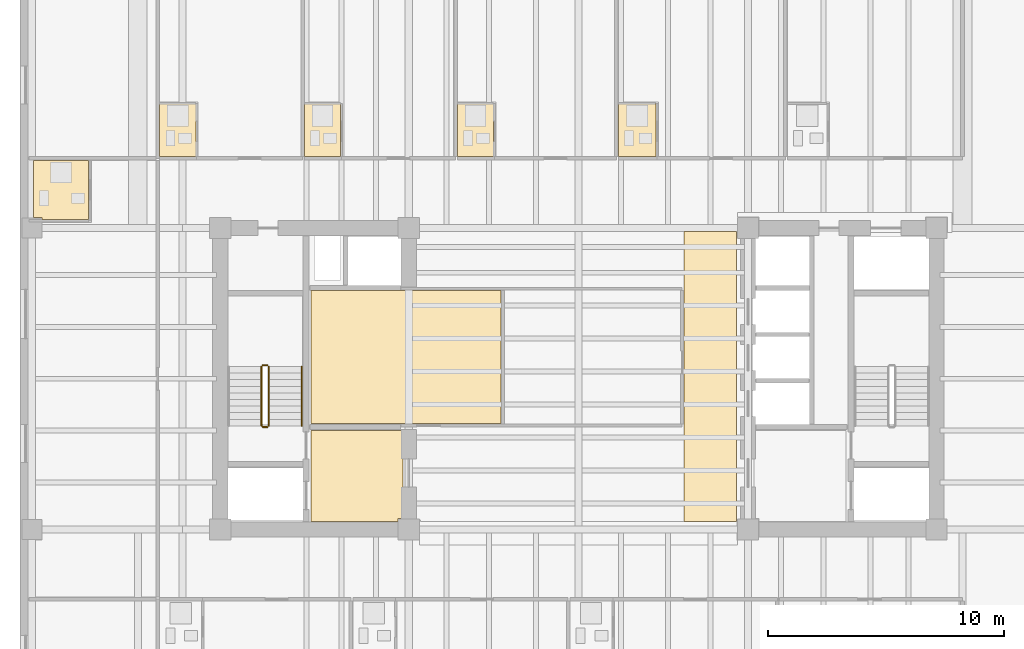
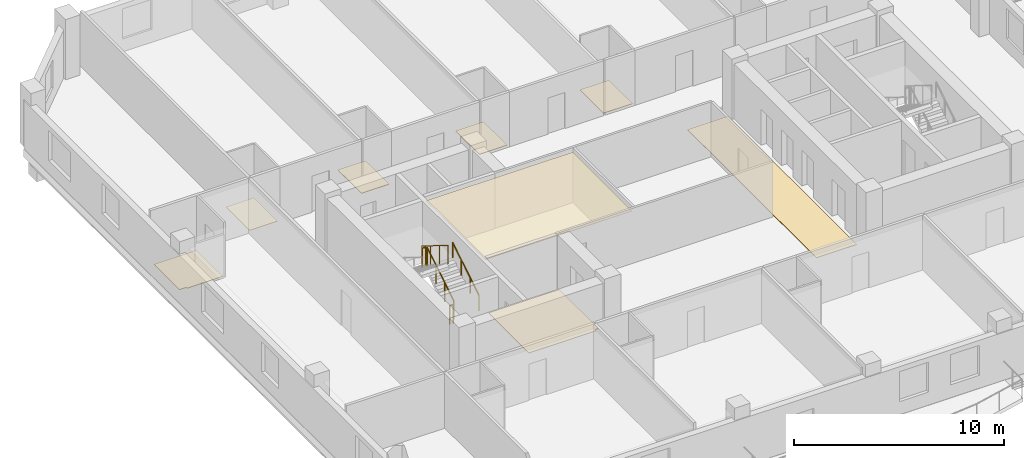
# One storey, part 8 of 11: 8 coverings, 5 railings.
"""IFC4 building model written with IfcOpenShell, lengths in metres."""

from ifc_helpers import new_model, si_unit, direction, frame, origin, origin_2d, place, context, subcontext, project, spatial, polyline, circle, outline, extrude, material, layer, layer_set, type_object, element, save


model = new_model("IFC4")

# Units and contexts
model_context = context("Model", 3, precision=1e-05, world=origin(), true_north=direction((0.0, 1.0)))
body_context = subcontext(model_context, "Body", "Model", "MODEL_VIEW")
ifc_project = project(units=[si_unit("LENGTHUNIT", "METRE"), si_unit("AREAUNIT", "SQUARE_METRE"), si_unit("VOLUMEUNIT", "CUBIC_METRE"), si_unit("PLANEANGLEUNIT", "RADIAN"), si_unit("MASSUNIT", "GRAM", prefix="KILO")], contexts=[model_context])

# Site, building, storey
site_placement = place(None, origin())
site = spatial("IfcSite", under=ifc_project, at=site_placement, CompositionType="ELEMENT")
building_placement = place(site_placement, origin())
building = spatial("IfcBuilding", under=site, at=building_placement, Name="Kranthara Brick Stack", CompositionType="ELEMENT")
storey_placement = place(building_placement, frame((0.0, 0.0, 183.300048828125)))
storey = spatial("IfcBuildingStorey", under=building, at=storey_placement, Name="L47", CompositionType="ELEMENT", Elevation=183.300048828125)

# Coverings
ifc_material_1 = material(Name="Perforated mineral-fibre acoustic ceiling tile", Category="other")
ifc_layer_1 = layer(ifc_material_1, 0.02490234375)
ifc_layer_set_1 = layer_set([ifc_layer_1], Name="Perforated mineral-fibre acoustic ceiling tile")
covering_type_1 = type_object("IfcCoveringType", Name="COV-CEIL-ACOUSTIC", PredefinedType="CEILING", material=ifc_layer_set_1)
covering_1_placement = place(storey_placement, frame((0.0, 0.0, 2.929931640625)))
element("IfcCovering", 1, at=covering_1_placement, inside=storey, type_object=covering_type_1, Name="L47 L47 Hotel Club Reading Lounge Acoustic Ceiling", PredefinedType="CEILING", context=body_context, shape_type="SweptSolid", body=[
    extrude(outline(polyline([(24.719970703125, 25.300048828125), (24.719970703125, 30.93994140625), (16.64990234375, 30.93994140625), (16.64990234375, 25.300048828125), (24.719970703125, 25.300048828125)])), origin(), (0.0, 0.0, 1.0), 0.02490234375),
])
ifc_material_2 = material(Name="Honed terrazzo and porcelain floor finish", Category="stone")
ifc_layer_2 = layer(ifc_material_2, 0.030029296875)
ifc_layer_set_2 = layer_set([ifc_layer_2], Name="Honed terrazzo and porcelain floor finish")
covering_type_2 = type_object("IfcCoveringType", Name="COV-FLOR-STONE", PredefinedType="FLOORING", material=ifc_layer_set_2)
covering_2_placement = place(storey_placement, origin())
element("IfcCovering", 2, at=covering_2_placement, inside=storey, type_object=covering_type_2, Name="L47 Lift Lobby Stone Flooring", PredefinedType="FLOORING", context=body_context, shape_type="SweptSolid", body=[
    extrude(outline(polyline([(16.64990234375, 21.14990234375), (16.64990234375, 25.0), (20.550048828125, 25.0), (20.550048828125, 21.260009765625), (20.340087890625, 21.260009765625), (20.340087890625, 21.14990234375), (16.64990234375, 21.14990234375)])), origin(), (0.0, 0.0, 1.0), 0.030029296875),
])
covering_3_placement = place(storey_placement, origin())
element("IfcCovering", 3, at=covering_3_placement, inside=storey, type_object=covering_type_2, Name="L47 Lift Lobby Stone Flooring", PredefinedType="FLOORING", context=body_context, shape_type="SweptSolid", body=[
    extrude(outline(polyline([(34.699951171875, 21.14990234375), (34.699951171875, 33.449951171875), (32.47998046875, 33.449951171875), (32.47998046875, 21.14990234375), (34.699951171875, 21.14990234375)])), origin(), (0.0, 0.0, 1.0), 0.030029296875),
])
covering_4_placement = place(storey_placement, origin())
element("IfcCovering", 4, at=covering_4_placement, inside=storey, type_object=covering_type_2, Name="L47 Wet Room Porcelain Flooring", PredefinedType="FLOORING", context=body_context, shape_type="SweptSolid", body=[
    extrude(outline(polyline([(10.22998046875, 36.6298828125), (10.22998046875, 38.8798828125), (11.760009765625, 38.8798828125), (11.760009765625, 36.6298828125), (10.22998046875, 36.6298828125)])), origin(), (0.0, 0.0, 1.0), 0.030029296875),
])
covering_5_placement = place(storey_placement, origin())
element("IfcCovering", 5, at=covering_5_placement, inside=storey, type_object=covering_type_2, Name="L47 Wet Room Porcelain Flooring", PredefinedType="FLOORING", context=body_context, shape_type="SweptSolid", body=[
    extrude(outline(polyline([(16.376953125, 36.6298828125), (16.376953125, 38.8798828125), (17.906982421875, 38.8798828125), (17.906982421875, 36.6298828125), (16.376953125, 36.6298828125)])), origin(), (0.0, 0.0, 1.0), 0.030029296875),
])
covering_6_placement = place(storey_placement, origin())
element("IfcCovering", 6, at=covering_6_placement, inside=storey, type_object=covering_type_2, Name="L47 Wet Room Porcelain Flooring", PredefinedType="FLOORING", context=body_context, shape_type="SweptSolid", body=[
    extrude(outline(polyline([(22.864990234375, 36.6298828125), (22.864990234375, 38.8798828125), (24.39501953125, 38.8798828125), (24.39501953125, 36.6298828125), (22.864990234375, 36.6298828125)])), origin(), (0.0, 0.0, 1.0), 0.030029296875),
])
covering_7_placement = place(storey_placement, origin())
element("IfcCovering", 7, at=covering_7_placement, inside=storey, type_object=covering_type_2, Name="L47 Wet Room Porcelain Flooring", PredefinedType="FLOORING", context=body_context, shape_type="SweptSolid", body=[
    extrude(outline(polyline([(29.695068359375, 36.6298828125), (29.695068359375, 38.8798828125), (31.29638671875, 38.8798828125), (31.29638671875, 36.6298828125), (29.695068359375, 36.6298828125)])), origin(), (0.0, 0.0, 1.0), 0.030029296875),
])
covering_8_placement = place(storey_placement, origin())
element("IfcCovering", 8, at=covering_8_placement, inside=storey, type_object=covering_type_2, Name="L47 Wet Room Porcelain Flooring", PredefinedType="FLOORING", context=body_context, shape_type="SweptSolid", body=[
    extrude(outline(polyline([(7.2099609375, 36.469970703125), (7.2099609375, 33.9599609375), (5.235107421875, 33.9599609375), (5.235107421875, 34.034912109375), (4.8701171875, 34.034912109375), (4.8701171875, 36.469970703125), (7.2099609375, 36.469970703125)])), origin(), (0.0, 0.0, 1.0), 0.030029296875),
])

# Railings
ifc_material_3 = material(Name="Painted galvanized steel stair guardrail", Category="steel")
railing_type_1 = type_object("IfcRailingType", Name="RL-STAIR-GUARD-1100", PredefinedType="GUARDRAIL", material=ifc_material_3)
railing_1_placement = place(storey_placement, frame((14.85009765625, 25.199951171875, 0.175048828125)))
element("IfcRailing", 9, at=railing_1_placement, inside=storey, type_object=railing_type_1, Name="L47 ST01 stair guard 1", PredefinedType="GUARDRAIL", context=body_context, shape_type="SweptSolid", body=[
    extrude(circle(Radius=0.02392578125, at=origin_2d()), frame((0.0, 0.0, 1.076171875), z_axis=(0.0, 0.848007534815, 0.529984170421), x_axis=(-1.0, 0.0, 0.0)), (0.0, 0.0, 1.0), 2.9716796875),
    extrude(circle(Radius=0.02099609375, at=origin_2d()), origin(), (0.0, 0.0, 1.0), 1.052001953125),
    extrude(circle(Radius=0.02099609375, at=origin_2d()), frame((0.0, 0.840087890625, 0.52490234375)), (0.0, 0.0, 1.0), 1.052001953125),
    extrude(circle(Radius=0.02099609375, at=origin_2d()), frame((0.0, 1.679931640625, 1.050048828125)), (0.0, 0.0, 1.0), 1.052001953125),
    extrude(circle(Radius=0.02099609375, at=origin_2d()), frame((0.0, 2.52001953125, 1.574951171875)), (0.0, 0.0, 1.0), 1.052001953125),
])
railing_2_placement = place(storey_placement, frame((14.800048828125, 27.77001953125, 1.75)))
element("IfcRailing", 10, at=railing_2_placement, inside=storey, type_object=railing_type_1, Name="L47 ST01 stair guard 2", PredefinedType="GUARDRAIL", context=body_context, shape_type="SweptSolid", body=[
    extrude(circle(Radius=0.02392578125, at=origin_2d()), frame((0.0, 0.0, 1.076171875), z_axis=(-1.0, 0.0, 0.0), x_axis=(0.0, -1.0, 0.0)), (0.0, 0.0, 1.0), 0.199951171875),
    extrude(circle(Radius=0.02099609375, at=origin_2d()), origin(), (0.0, 0.0, 1.0), 1.052001953125),
    extrude(circle(Radius=0.02099609375, at=origin_2d()), frame((-0.199951171875, 0.0, 0.0)), (0.0, 0.0, 1.0), 1.052001953125),
])
railing_3_placement = place(storey_placement, frame((14.550048828125, 27.719970703125, 1.925048828125)))
element("IfcRailing", 11, at=railing_3_placement, inside=storey, type_object=railing_type_1, Name="L47 ST01 stair guard 3", PredefinedType="GUARDRAIL", context=body_context, shape_type="SweptSolid", body=[
    extrude(circle(Radius=0.02392578125, at=origin_2d()), frame((0.0, 0.0, 1.076171875), z_axis=(0.0, -0.848007534815, 0.529984170421), x_axis=(1.0, 0.0, 0.0)), (0.0, 0.0, 1.0), 2.9716796875),
    extrude(circle(Radius=0.02099609375, at=origin_2d()), origin(), (0.0, 0.0, 1.0), 1.052001953125),
    extrude(circle(Radius=0.02099609375, at=origin_2d()), frame((0.0, -0.840087890625, 0.52490234375)), (0.0, 0.0, 1.0), 1.052001953125),
    extrude(circle(Radius=0.02099609375, at=origin_2d()), frame((0.0, -1.679931640625, 1.050048828125)), (0.0, 0.0, 1.0), 1.052001953125),
    extrude(circle(Radius=0.02099609375, at=origin_2d()), frame((0.0, -2.52001953125, 1.574951171875)), (0.0, 0.0, 1.0), 1.052001953125),
])
railing_4_placement = place(storey_placement, frame((14.800048828125, 25.14990234375, 0.0)))
element("IfcRailing", 12, at=railing_4_placement, inside=storey, type_object=railing_type_1, Name="L47 ST01 stair guard 4", PredefinedType="GUARDRAIL", context=body_context, shape_type="SweptSolid", body=[
    extrude(circle(Radius=0.02392578125, at=origin_2d()), frame((0.0, 0.0, 1.076171875), z_axis=(-1.0, 0.0, 0.0), x_axis=(0.0, -1.0, 0.0)), (0.0, 0.0, 1.0), 0.199951171875),
    extrude(circle(Radius=0.02099609375, at=origin_2d()), origin(), (0.0, 0.0, 1.0), 1.052001953125),
    extrude(circle(Radius=0.02099609375, at=origin_2d()), frame((-0.199951171875, 0.0, 0.0)), (0.0, 0.0, 1.0), 1.052001953125),
])
ifc_material_4 = material(Name="Brushed stainless steel tubular handrail", Category="steel")
railing_type_2 = type_object("IfcRailingType", Name="RL-STAIR-HAND-900", PredefinedType="HANDRAIL", material=ifc_material_4)
railing_5_placement = place(storey_placement, frame((16.25, 25.199951171875, 0.175048828125)))
element("IfcRailing", 13, at=railing_5_placement, inside=storey, type_object=railing_type_2, Name="L47 ST01 stair handrail 1", PredefinedType="HANDRAIL", context=body_context, shape_type="SweptSolid", body=[
    extrude(circle(Radius=0.02392578125, at=origin_2d()), frame((0.0, 0.0, 0.8759765625), z_axis=(0.0, 0.848007534815, 0.529984170421), x_axis=(-1.0, 0.0, 0.0)), (0.0, 0.0, 1.0), 2.9716796875),
    extrude(circle(Radius=0.02099609375, at=origin_2d()), origin(), (0.0, 0.0, 1.0), 0.851806640625),
    extrude(circle(Radius=0.02099609375, at=origin_2d()), frame((0.0, 0.840087890625, 0.52490234375)), (0.0, 0.0, 1.0), 0.851806640625),
    extrude(circle(Radius=0.02099609375, at=origin_2d()), frame((0.0, 1.679931640625, 1.050048828125)), (0.0, 0.0, 1.0), 0.851806640625),
    extrude(circle(Radius=0.02099609375, at=origin_2d()), frame((0.0, 2.52001953125, 1.574951171875)), (0.0, 0.0, 1.0), 0.851806640625),
])

save(model, "model.ifc")
